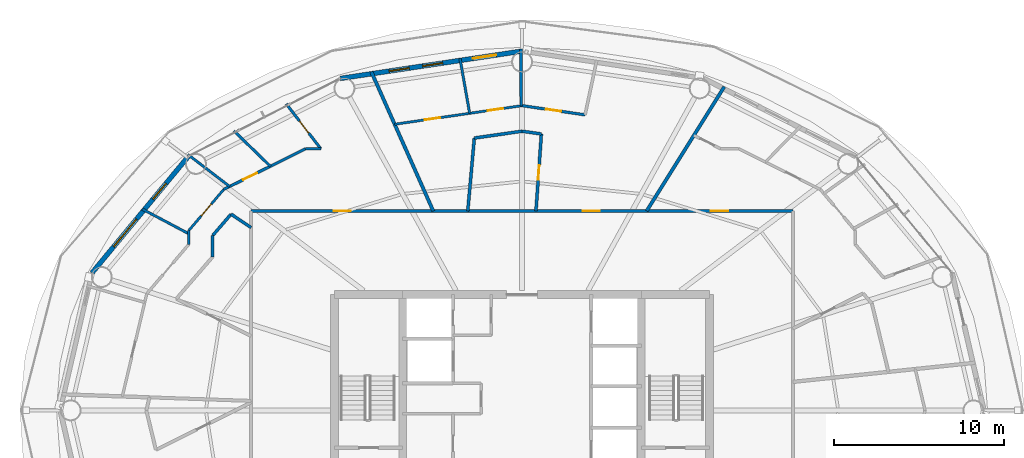
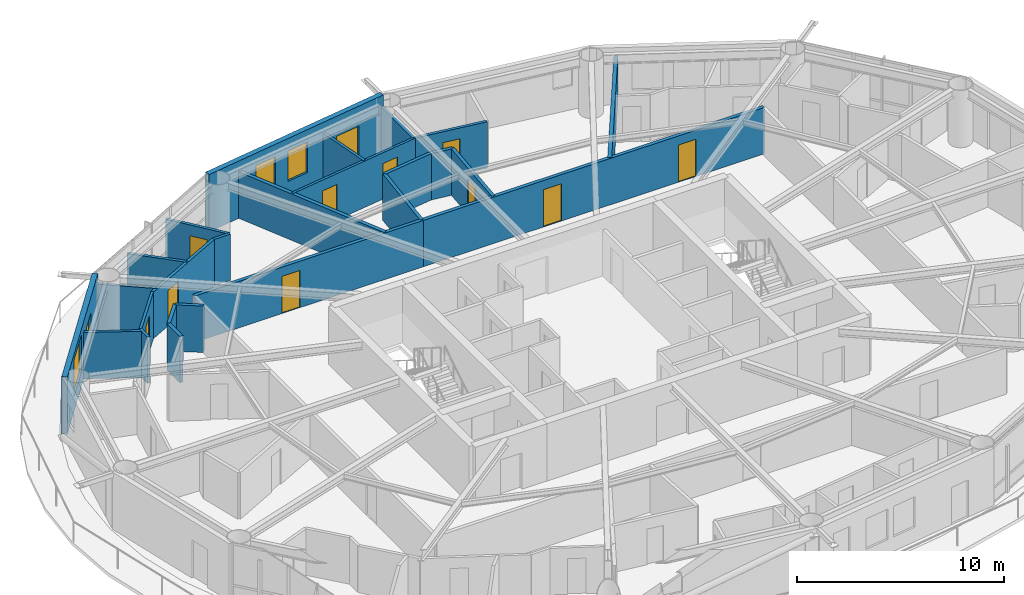
# One storey, part 24 of 28: 25 walls, 11 doors, 4 windows, 15 openings.
"""IFC4 building model written with IfcOpenShell, lengths in metres."""

from ifc_helpers import new_model, si_unit, direction, frame, frame_2d, origin, place, context, subcontext, project, spatial, rectangle, extrude, material, layer, layer_set, type_object, element, fill, save


model = new_model("IFC4")

# Units and contexts
model_context = context("Model", 3, precision=1e-05, world=origin(), true_north=direction((0.0, 1.0)))
body_context = subcontext(model_context, "Body", "Model", "MODEL_VIEW")
ifc_project = project(units=[si_unit("LENGTHUNIT", "METRE"), si_unit("AREAUNIT", "SQUARE_METRE"), si_unit("VOLUMEUNIT", "CUBIC_METRE"), si_unit("PLANEANGLEUNIT", "RADIAN"), si_unit("MASSUNIT", "GRAM", prefix="KILO")], contexts=[model_context])

# Site, building, storey
site_placement = place(None, origin())
site = spatial("IfcSite", under=ifc_project, at=site_placement, CompositionType="ELEMENT")
building_placement = place(site_placement, origin())
building = spatial("IfcBuilding", under=site, at=building_placement, Name="Sarneth Arch Tower", CompositionType="ELEMENT")
storey_placement = place(building_placement, frame((0.0, 0.0, 190.199951171875)))
storey = spatial("IfcBuildingStorey", under=building, at=storey_placement, Name="L48", CompositionType="ELEMENT", Elevation=190.199951171875)

# Wall, opening, door
ifc_material_1 = material(Name="Double steel-stud corridor fire wall", Category="steel")
ifc_layer_1 = layer(ifc_material_1, 0.18994140625)
ifc_layer_set_1 = layer_set([ifc_layer_1], Name="Double steel-stud corridor fire wall")
wall_type_1 = type_object("IfcWallType", Name="WALL-CORR-190", PredefinedType="PARTITIONING", material=ifc_layer_set_1)
wall_1_placement = place(storey_placement, frame((32.10009765625, 53.699951171875, 0.0), z_axis=(0.0, 0.0, 1.0), x_axis=(1.0, 0.0, 0.0)))
wall_1 = element("IfcWall", 1, at=wall_1_placement, inside=storey, type_object=wall_type_1, Name="L48 Interior partition W-L48-TP-009", PredefinedType="PARTITIONING", context=body_context, shape_type="SweptSolid", body=[
    extrude(rectangle(XDim=12.748046875, YDim=0.18994140625, at=frame_2d((6.3740234375, 0.0))), origin(), (0.0, 0.0, 1.0), 2.739990234375),
])
opening_1_placement = place(wall_1_placement, frame((4.86279296875, 0.0, 0.0)))
opening_1 = element("IfcOpeningElement", 2, at=opening_1_placement, cuts=wall_1, Name="Opening FD-08", PredefinedType="OPENING", context=body_context, shape_type="SweptSolid", body=[
    extrude(rectangle(XDim=1.0, YDim=2.199951171875, at=frame_2d((0.5, 1.10009765625))), frame((0.0, 0.10498046875, 0.0), z_axis=(0.0, -1.0, 0.0), x_axis=(1.0, 0.0, 0.0)), (0.0, 0.0, 1.0), 0.2099609375),
])
ifc_material_2 = material(Name="Hardwood timber acoustic fire door", Category="wood")
door_type_1 = type_object("IfcDoorType", Name="DR-FD60-1000", OperationType="SINGLE_SWING_LEFT", PredefinedType="DOOR", material=ifc_material_2)
door_1_placement = place(opening_1_placement, origin())
door_1 = element("IfcDoor", 3, at=door_1_placement, inside=storey, type_object=door_type_1, Name="L48 Interior door DR-L48-U3-ENT", OperationType="SINGLE_SWING_LEFT", OverallHeight=2.199951171875, OverallWidth=1.0, PredefinedType="DOOR", context=body_context, shape_type="SweptSolid", body=[
    extrude(rectangle(XDim=1.0, YDim=2.199951171875, at=frame_2d((0.5, 1.10009765625))), frame((0.0, 0.02490234375, 0.0), z_axis=(0.0, -1.0, 0.0), x_axis=(1.0, 0.0, 0.0)), (0.0, 0.0, 1.0), 0.050048828125),
])
fill(opening_1, door_1)

# Wall, openings, doors
wall_2_placement = place(storey_placement, frame((44.783935546875, 53.699951171875, 0.0), z_axis=(0.0, 0.0, 1.0), x_axis=(1.0, 0.0, 0.0)))
wall_2 = element("IfcWall", 4, at=wall_2_placement, inside=storey, type_object=wall_type_1, Name="L48 Interior partition W-L48-TP-001", PredefinedType="PARTITIONING", context=body_context, shape_type="SweptSolid", body=[
    extrude(rectangle(XDim=19.115966796875, YDim=0.18994140625, at=frame_2d((9.55810546875, 0.0))), origin(), (0.0, 0.0, 1.0), 2.739990234375),
])
opening_2_placement = place(wall_2_placement, frame((14.302490234375, 0.0, 0.0)))
opening_2 = element("IfcOpeningElement", 5, at=opening_2_placement, cuts=wall_2, Name="Opening FD-08", PredefinedType="OPENING", context=body_context, shape_type="SweptSolid", body=[
    extrude(rectangle(XDim=1.0, YDim=2.199951171875, at=frame_2d((0.5, 1.10009765625))), frame((0.0, 0.10498046875, 0.0), z_axis=(0.0, -1.0, 0.0), x_axis=(1.0, 0.0, 0.0)), (0.0, 0.0, 1.0), 0.2099609375),
])
opening_3_placement = place(wall_2_placement, frame((6.783203125, 0.0, 0.0)))
opening_3 = element("IfcOpeningElement", 6, at=opening_3_placement, cuts=wall_2, Name="Opening FD-08", PredefinedType="OPENING", context=body_context, shape_type="SweptSolid", body=[
    extrude(rectangle(XDim=1.0, YDim=2.199951171875, at=frame_2d((0.5, 1.10009765625))), frame((0.0, 0.10498046875, 0.0), z_axis=(0.0, -1.0, 0.0), x_axis=(1.0, 0.0, 0.0)), (0.0, 0.0, 1.0), 0.2099609375),
])
door_2_placement = place(opening_2_placement, origin())
door_2 = element("IfcDoor", 7, at=door_2_placement, inside=storey, type_object=door_type_1, Name="L48 Interior door DR-L48-U1-ENT", OperationType="SINGLE_SWING_LEFT", OverallHeight=2.199951171875, OverallWidth=1.0, PredefinedType="DOOR", context=body_context, shape_type="SweptSolid", body=[
    extrude(rectangle(XDim=1.0, YDim=2.199951171875, at=frame_2d((0.5, 1.10009765625))), frame((0.0, 0.02490234375, 0.0), z_axis=(0.0, -1.0, 0.0), x_axis=(1.0, 0.0, 0.0)), (0.0, 0.0, 1.0), 0.050048828125),
])
fill(opening_2, door_2)
door_3_placement = place(opening_3_placement, origin())
door_3 = element("IfcDoor", 8, at=door_3_placement, inside=storey, type_object=door_type_1, Name="L48 Interior door DR-L48-U2-ENT", OperationType="SINGLE_SWING_RIGHT", OverallHeight=2.199951171875, OverallWidth=1.0, PredefinedType="DOOR", context=body_context, shape_type="SweptSolid", body=[
    extrude(rectangle(XDim=1.0, YDim=2.199951171875, at=frame_2d((0.5, 1.10009765625))), frame((0.0, 0.02490234375, 0.0), z_axis=(0.0, -1.0, 0.0), x_axis=(1.0, 0.0, 0.0)), (0.0, 0.0, 1.0), 0.050048828125),
])
fill(opening_3, door_3)

# Wall, openings, door, windows
ifc_material_3 = material(Name="Extruded terracotta rainscreen on Concrete C40/50 backing", Category="masonry")
ifc_layer_2 = layer(ifc_material_3, 0.280029296875)
ifc_layer_set_2 = layer_set([ifc_layer_2], Name="Extruded terracotta rainscreen on Concrete C40/50 backing")
wall_type_2 = type_object("IfcWallType", Name="WALL-EXT-TERRA-280", PredefinedType="SOLIDWALL", material=ifc_layer_set_2)
wall_3_placement = place(storey_placement, frame((48.0, 63.080078125, 0.0), z_axis=(0.0, 0.0, 1.0), x_axis=(-0.988863993413, -0.148822049884, 0.0)))
wall_3 = element("IfcWall", 9, at=wall_3_placement, inside=storey, type_object=wall_type_2, Name="L48 Terracotta perimeter wall 05", PredefinedType="SOLIDWALL", context=body_context, shape_type="SweptSolid", body=[
    extrude(rectangle(XDim=10.782958984375, YDim=0.280029296875, at=frame_2d((5.3916015625, 0.0))), origin(), (0.0, 0.0, 1.0), 3.380126953125),
])
opening_4_placement = place(wall_3_placement, frame((1.523681640625, 0.0, 0.0)))
opening_4 = element("IfcOpeningElement", 10, at=opening_4_placement, cuts=wall_3, Name="Opening BD-2", PredefinedType="OPENING", context=body_context, shape_type="SweptSolid", body=[
    extrude(rectangle(XDim=1.39990234375, YDim=2.199951171875, at=frame_2d((0.699951171875, 1.10009765625))), frame((0.0, 0.14990234375, 0.0), z_axis=(0.0, -1.0, 0.0), x_axis=(1.0, 0.0, 0.0)), (0.0, 0.0, 1.0), 0.300048828125),
])
opening_5_placement = place(wall_3_placement, frame((4.7021484375, 0.0, 0.85009765625)))
opening_5 = element("IfcOpeningElement", 11, at=opening_5_placement, cuts=wall_3, Name="Opening W-09", PredefinedType="OPENING", context=body_context, shape_type="SweptSolid", body=[
    extrude(rectangle(XDim=1.199951171875, YDim=1.800048828125, at=frame_2d((0.60009765625, 0.89990234375))), frame((0.0, 0.14990234375, 0.0), z_axis=(0.0, -1.0, 0.0), x_axis=(1.0, 0.0, 0.0)), (0.0, 0.0, 1.0), 0.300048828125),
])
opening_6_placement = place(wall_3_placement, frame((6.689697265625, 0.0, 0.85009765625)))
opening_6 = element("IfcOpeningElement", 12, at=opening_6_placement, cuts=wall_3, Name="Opening W-09", PredefinedType="OPENING", context=body_context, shape_type="SweptSolid", body=[
    extrude(rectangle(XDim=1.199951171875, YDim=1.800048828125, at=frame_2d((0.60009765625, 0.89990234375))), frame((0.0, 0.14990234375, 0.0), z_axis=(0.0, -1.0, 0.0), x_axis=(1.0, 0.0, 0.0)), (0.0, 0.0, 1.0), 0.300048828125),
])
ifc_material_4 = material(Name="Thermally broken Aluminium 6063-T6 and laminated safety glass", Category="aluminium")
door_type_2 = type_object("IfcDoorType", Name="DR-BALC-GLZ-1400", OperationType="SINGLE_SWING_LEFT", PredefinedType="DOOR", material=ifc_material_4)
door_4_placement = place(opening_4_placement, origin())
door_4 = element("IfcDoor", 13, at=door_4_placement, inside=storey, type_object=door_type_2, Name="L48 Balcony glazed door 05", OperationType="SINGLE_SWING_LEFT", OverallHeight=2.199951171875, OverallWidth=1.39990234375, PredefinedType="DOOR", context=body_context, shape_type="SweptSolid", body=[
    extrude(rectangle(XDim=1.39990234375, YDim=2.199951171875, at=frame_2d((0.699951171875, 1.10009765625))), frame((0.0, 0.02490234375, 0.0), z_axis=(0.0, -1.0, 0.0), x_axis=(1.0, 0.0, 0.0)), (0.0, 0.0, 1.0), 0.050048828125),
])
fill(opening_4, door_4)
ifc_material_5 = material(Name="Thermally broken Aluminium 6063-T6 and low-e laminated IGU", Category="aluminium")
window_type_1 = type_object("IfcWindowType", Name="WIN-TWR-1200x1800", PartitioningType="SINGLE_PANEL", PredefinedType="WINDOW", material=ifc_material_5)
window_1_placement = place(opening_5_placement, origin())
window_1 = element("IfcWindow", 14, at=window_1_placement, inside=storey, type_object=window_type_1, Name="L48 Exterior window 05A", OverallHeight=1.800048828125, OverallWidth=1.199951171875, PartitioningType="SINGLE_PANEL", PredefinedType="WINDOW", context=body_context, shape_type="SweptSolid", body=[
    extrude(rectangle(XDim=1.199951171875, YDim=1.800048828125, at=frame_2d((0.60009765625, 0.89990234375))), frame((0.0, 0.030029296875, 0.0), z_axis=(0.0, -1.0, 0.0), x_axis=(1.0, 0.0, 0.0)), (0.0, 0.0, 1.0), 0.06005859375),
])
fill(opening_5, window_1)
window_2_placement = place(opening_6_placement, origin())
window_2 = element("IfcWindow", 15, at=window_2_placement, inside=storey, type_object=window_type_1, Name="L48 Exterior window 05B", OverallHeight=1.800048828125, OverallWidth=1.199951171875, PartitioningType="SINGLE_PANEL", PredefinedType="WINDOW", context=body_context, shape_type="SweptSolid", body=[
    extrude(rectangle(XDim=1.199951171875, YDim=1.800048828125, at=frame_2d((0.60009765625, 0.89990234375))), frame((0.0, 0.030029296875, 0.0), z_axis=(0.0, -1.0, 0.0), x_axis=(1.0, 0.0, 0.0)), (0.0, 0.0, 1.0), 0.06005859375),
])
fill(opening_6, window_2)

# Wall, openings, windows
wall_4_placement = place(storey_placement, frame((28.423828125, 56.90576171875, 0.0), z_axis=(0.0, 0.0, 1.0), x_axis=(-0.637333477683, -0.770588111915, 0.0)))
wall_4 = element("IfcWall", 16, at=wall_4_placement, inside=storey, type_object=wall_type_2, Name="L48 Terracotta perimeter wall 07", PredefinedType="SOLIDWALL", context=body_context, shape_type="SweptSolid", body=[
    extrude(rectangle(XDim=8.874755859375, YDim=0.280029296875, at=frame_2d((4.4375, 0.0))), origin(), (0.0, 0.0, 1.0), 3.380126953125),
])
opening_7_placement = place(wall_4_placement, frame((2.061279296875, 0.0, 0.85009765625)))
opening_7 = element("IfcOpeningElement", 17, at=opening_7_placement, cuts=wall_4, Name="Opening W-10", PredefinedType="OPENING", context=body_context, shape_type="SweptSolid", body=[
    extrude(rectangle(XDim=1.199951171875, YDim=1.60009765625, at=frame_2d((0.60009765625, 0.800048828125))), frame((0.0, 0.14990234375, 0.0), z_axis=(0.0, -1.0, 0.0), x_axis=(1.0, 0.0, 0.0)), (0.0, 0.0, 1.0), 0.300048828125),
])
opening_8_placement = place(wall_4_placement, frame((4.779296875, 0.0, 0.85009765625)))
opening_8 = element("IfcOpeningElement", 18, at=opening_8_placement, cuts=wall_4, Name="Opening W-03", PredefinedType="OPENING", context=body_context, shape_type="SweptSolid", body=[
    extrude(rectangle(XDim=2.10009765625, YDim=2.199951171875, at=frame_2d((1.050048828125, 1.10009765625))), frame((0.0, 0.14990234375, 0.0), z_axis=(0.0, -1.0, 0.0), x_axis=(1.0, 0.0, 0.0)), (0.0, 0.0, 1.0), 0.300048828125),
])
ifc_material_6 = material(Name="Thermally broken Aluminium 6063-T6 and low-e laminated IGU", Category="aluminium")
window_type_2 = type_object("IfcWindowType", Name="WIN-TWR-1200x1600", PartitioningType="SINGLE_PANEL", PredefinedType="WINDOW", material=ifc_material_6)
window_3_placement = place(opening_7_placement, origin())
window_3 = element("IfcWindow", 19, at=window_3_placement, inside=storey, type_object=window_type_2, Name="L48 Exterior window 07A", OverallHeight=1.60009765625, OverallWidth=1.199951171875, PartitioningType="SINGLE_PANEL", PredefinedType="WINDOW", context=body_context, shape_type="SweptSolid", body=[
    extrude(rectangle(XDim=1.199951171875, YDim=1.60009765625, at=frame_2d((0.60009765625, 0.800048828125))), frame((0.0, 0.030029296875, 0.0), z_axis=(0.0, -1.0, 0.0), x_axis=(1.0, 0.0, 0.0)), (0.0, 0.0, 1.0), 0.06005859375),
])
fill(opening_7, window_3)
ifc_material_7 = material(Name="Thermally broken Aluminium 6063-T6 and low-e laminated IGU", Category="aluminium")
window_type_3 = type_object("IfcWindowType", Name="WIN-TWR-2100x2200", PartitioningType="DOUBLE_PANEL_VERTICAL", PredefinedType="WINDOW", material=ifc_material_7)
window_4_placement = place(opening_8_placement, origin())
window_4 = element("IfcWindow", 20, at=window_4_placement, inside=storey, type_object=window_type_3, Name="L48 Exterior window 07B", OverallHeight=2.199951171875, OverallWidth=2.10009765625, PartitioningType="SINGLE_PANEL", PredefinedType="WINDOW", context=body_context, shape_type="SweptSolid", body=[
    extrude(rectangle(XDim=2.10009765625, YDim=2.199951171875, at=frame_2d((1.050048828125, 1.10009765625))), frame((0.0, 0.030029296875, 0.0), z_axis=(0.0, -1.0, 0.0), x_axis=(1.0, 0.0, 0.0)), (0.0, 0.0, 1.0), 0.06005859375),
])
fill(opening_8, window_4)

# Wall, openings, doors
ifc_material_8 = material(Name="Apartment internal stud partition", Category="gypsum")
ifc_layer_3 = layer(ifc_material_8, 0.139892578125)
ifc_layer_set_3 = layer_set([ifc_layer_3], Name="Apartment internal stud partition")
wall_type_3 = type_object("IfcWallType", Name="WALL-PART-140", PredefinedType="PARTITIONING", material=ifc_layer_set_3)
wall_5_placement = place(storey_placement, frame((40.52587890625, 58.786865234375, 0.0), z_axis=(0.0, 0.0, 1.0), x_axis=(0.989472726968, 0.144719461672, 0.0)))
wall_5 = element("IfcWall", 21, at=wall_5_placement, inside=storey, type_object=wall_type_3, Name="L48 Interior partition W-L48-TP-048", PredefinedType="PARTITIONING", context=body_context, shape_type="SweptSolid", body=[
    extrude(rectangle(XDim=7.532470703125, YDim=0.139892578125, at=frame_2d((3.76611328125, 0.0))), origin(), (0.0, 0.0, 1.0), 2.739990234375),
])
opening_9_placement = place(wall_5_placement, frame((1.789794921875, 0.0, 0.0)))
opening_9 = element("IfcOpeningElement", 22, at=opening_9_placement, cuts=wall_5, Name="Opening ID-01", PredefinedType="OPENING", context=body_context, shape_type="SweptSolid", body=[
    extrude(rectangle(XDim=0.89990234375, YDim=2.10009765625, at=frame_2d((0.449951171875, 1.050048828125))), frame((0.0, 0.079833984375, 0.0), z_axis=(0.0, -1.0, 0.0), x_axis=(1.0, 0.0, 0.0)), (0.0, 0.0, 1.0), 0.159912109375),
])
opening_10_placement = place(wall_5_placement, frame((5.523681640625, 0.0, 0.0)))
opening_10 = element("IfcOpeningElement", 23, at=opening_10_placement, cuts=wall_5, Name="Opening ID-01", PredefinedType="OPENING", context=body_context, shape_type="SweptSolid", body=[
    extrude(rectangle(XDim=0.89990234375, YDim=2.10009765625, at=frame_2d((0.449951171875, 1.050048828125))), frame((0.0, 0.079833984375, 0.0), z_axis=(0.0, -1.0, 0.0), x_axis=(1.0, 0.0, 0.0)), (0.0, 0.0, 1.0), 0.159912109375),
])
ifc_material_9 = material(Name="Engineered hardwood flush door", Category="wood")
door_type_3 = type_object("IfcDoorType", Name="DR-INT-900", OperationType="SINGLE_SWING_LEFT", PredefinedType="DOOR", material=ifc_material_9)
door_5_placement = place(opening_9_placement, origin())
door_5 = element("IfcDoor", 24, at=door_5_placement, inside=storey, type_object=door_type_3, Name="L48 Interior door DR-L48-U2-BED2", OperationType="SINGLE_SWING_RIGHT", OverallHeight=2.10009765625, OverallWidth=0.89990234375, PredefinedType="DOOR", context=body_context, shape_type="SweptSolid", body=[
    extrude(rectangle(XDim=0.89990234375, YDim=2.10009765625, at=frame_2d((0.449951171875, 1.050048828125))), frame((0.0, 0.02490234375, 0.0), z_axis=(0.0, -1.0, 0.0), x_axis=(1.0, 0.0, 0.0)), (0.0, 0.0, 1.0), 0.050048828125),
])
fill(opening_9, door_5)
door_6_placement = place(opening_10_placement, origin())
door_6 = element("IfcDoor", 25, at=door_6_placement, inside=storey, type_object=door_type_3, Name="L48 Interior door DR-L48-U2-BED1", OperationType="SINGLE_SWING_LEFT", OverallHeight=2.10009765625, OverallWidth=0.89990234375, PredefinedType="DOOR", context=body_context, shape_type="SweptSolid", body=[
    extrude(rectangle(XDim=0.89990234375, YDim=2.10009765625, at=frame_2d((0.449951171875, 1.050048828125))), frame((0.0, 0.02490234375, 0.0), z_axis=(0.0, -1.0, 0.0), x_axis=(1.0, 0.0, 0.0)), (0.0, 0.0, 1.0), 0.050048828125),
])
fill(opening_10, door_6)

# Wall, opening, door
wall_6_placement = place(storey_placement, frame((28.449951171875, 52.556640625, 0.0), z_axis=(0.0, 0.0, 1.0), x_axis=(0.647888606369, 0.761735094201, 0.0)))
wall_6 = element("IfcWall", 26, at=wall_6_placement, inside=storey, type_object=wall_type_3, Name="L48 Interior partition W-L48-TP-063", PredefinedType="PARTITIONING", context=body_context, shape_type="SweptSolid", body=[
    extrude(rectangle(XDim=3.15673828125, YDim=0.139892578125, at=frame_2d((1.578369140625, 0.0))), origin(), (0.0, 0.0, 1.0), 2.739990234375),
])
opening_11_placement = place(wall_6_placement, frame((1.12841796875, 0.0, 0.0)))
opening_11 = element("IfcOpeningElement", 27, at=opening_11_placement, cuts=wall_6, Name="Opening ID-01", PredefinedType="OPENING", context=body_context, shape_type="SweptSolid", body=[
    extrude(rectangle(XDim=0.89990234375, YDim=2.10009765625, at=frame_2d((0.449951171875, 1.050048828125))), frame((0.0, 0.079833984375, 0.0), z_axis=(0.0, -1.0, 0.0), x_axis=(1.0, 0.0, 0.0)), (0.0, 0.0, 1.0), 0.159912109375),
])
door_7_placement = place(opening_11_placement, origin())
door_7 = element("IfcDoor", 28, at=door_7_placement, inside=storey, type_object=door_type_3, Name="L48 Interior door DR-L48-U3-BED1", OperationType="SINGLE_SWING_RIGHT", OverallHeight=2.10009765625, OverallWidth=0.89990234375, PredefinedType="DOOR", context=body_context, shape_type="SweptSolid", body=[
    extrude(rectangle(XDim=0.89990234375, YDim=2.10009765625, at=frame_2d((0.449951171875, 1.050048828125))), frame((0.0, 0.02490234375, 0.0), z_axis=(0.0, -1.0, 0.0), x_axis=(1.0, 0.0, 0.0)), (0.0, 0.0, 1.0), 0.050048828125),
])
fill(opening_11, door_7)

# Walls
ifc_material_10 = material(Name="Acoustic gypsum stud partition", Category="gypsum")
ifc_layer_4 = layer(ifc_material_10, 0.14990234375)
ifc_layer_set_4 = layer_set([ifc_layer_4], Name="Acoustic gypsum stud partition")
wall_type_4 = type_object("IfcWallType", Name="WALL-PART-150", PredefinedType="PARTITIONING", material=ifc_layer_set_4)
wall_7_placement = place(storey_placement, frame((44.926513671875, 59.430419921875, 0.0), z_axis=(0.0, 0.0, 1.0), x_axis=(-0.17359807558, 0.984816586048, 0.0)))
element("IfcWall", 29, at=wall_7_placement, inside=storey, type_object=wall_type_4, Name="L48 Interior partition W-L48-TP-051", PredefinedType="PARTITIONING", context=body_context, shape_type="SweptSolid", body=[
    extrude(rectangle(XDim=3.272705078125, YDim=0.14990234375, at=frame_2d((1.63623046875, 0.0))), origin(), (0.0, 0.0, 1.0), 2.739990234375),
])
wall_8_placement = place(storey_placement, frame((28.449951171875, 52.36181640625, 0.0), z_axis=(0.0, 0.0, 1.0), x_axis=(-0.883567356142, 0.468304096886, 0.0)))
element("IfcWall", 30, at=wall_8_placement, inside=storey, type_object=wall_type_4, Name="L48 Interior partition W-L48-TP-073", PredefinedType="PARTITIONING", context=body_context, shape_type="SweptSolid", body=[
    extrude(rectangle(XDim=3.09765625, YDim=0.14990234375, at=frame_2d((1.548828125, 0.0))), origin(), (0.0, 0.0, 1.0), 2.739990234375),
])
wall_9_placement = place(storey_placement, frame((30.845703125, 55.135986328125, 0.0), z_axis=(0.0, 0.0, 1.0), x_axis=(-0.793971553825, 0.607954909279, 0.0)))
element("IfcWall", 31, at=wall_9_placement, inside=storey, type_object=wall_type_4, Name="L48 Interior partition W-L48-TP-072", PredefinedType="PARTITIONING", context=body_context, shape_type="SweptSolid", body=[
    extrude(rectangle(XDim=3.0869140625, YDim=0.14990234375, at=frame_2d((1.54345703125, 0.0))), origin(), (0.0, 0.0, 1.0), 2.739990234375),
])
wall_10_placement = place(storey_placement, frame((28.449951171875, 51.744384765625, 0.0), z_axis=(0.0, 0.0, 1.0), x_axis=(0.0, 1.0, 0.0)))
element("IfcWall", 32, at=wall_10_placement, inside=storey, type_object=wall_type_4, Name="L48 Interior partition W-L48-TP-067", PredefinedType="PARTITIONING", context=body_context, shape_type="SweptSolid", body=[
    extrude(rectangle(XDim=0.812255859375, YDim=0.14990234375, at=frame_2d((0.40625, 0.0))), origin(), (0.0, 0.0, 1.0), 2.739990234375),
])

# Wall, opening, door
ifc_material_11 = material(Name="Kitchen wet service chase wall", Category="gypsum")
ifc_layer_5 = layer(ifc_material_11, 0.159912109375)
ifc_layer_set_5 = layer_set([ifc_layer_5], Name="Kitchen wet service chase wall")
wall_type_5 = type_object("IfcWallType", Name="WALL-PLUMB-160", PredefinedType="PLUMBINGWALL", material=ifc_layer_set_5)
wall_11_placement = place(storey_placement, frame((51.698974609375, 59.339111328125, 0.0), z_axis=(0.0, 0.0, 1.0), x_axis=(-0.98948182168, 0.144657265858, 0.0)))
wall_11 = element("IfcWall", 33, at=wall_11_placement, inside=storey, type_object=wall_type_5, Name="L48 Interior partition W-L48-TP-042", PredefinedType="PLUMBINGWALL", context=body_context, shape_type="SweptSolid", body=[
    extrude(rectangle(XDim=3.73828125, YDim=0.159912109375, at=frame_2d((1.869140625, 0.0))), origin(), (0.0, 0.0, 1.0), 2.739990234375),
])
opening_12_placement = place(wall_11_placement, frame((1.419189453125, 0.0, 0.0)))
opening_12 = element("IfcOpeningElement", 34, at=opening_12_placement, cuts=wall_11, Name="Opening ID-01", PredefinedType="OPENING", context=body_context, shape_type="SweptSolid", body=[
    extrude(rectangle(XDim=0.89990234375, YDim=2.10009765625, at=frame_2d((0.449951171875, 1.050048828125))), frame((0.0, 0.08984375, 0.0), z_axis=(0.0, -1.0, 0.0), x_axis=(1.0, 0.0, 0.0)), (0.0, 0.0, 1.0), 0.179931640625),
])
door_8_placement = place(opening_12_placement, origin())
door_8 = element("IfcDoor", 35, at=door_8_placement, inside=storey, type_object=door_type_3, Name="L48 Interior door DR-L48-U2-KIT", OperationType="SINGLE_SWING_LEFT", OverallHeight=2.10009765625, OverallWidth=0.89990234375, PredefinedType="DOOR", context=body_context, shape_type="SweptSolid", body=[
    extrude(rectangle(XDim=0.89990234375, YDim=2.10009765625, at=frame_2d((0.449951171875, 1.050048828125))), frame((0.0, 0.02490234375, 0.0), z_axis=(0.0, -1.0, 0.0), x_axis=(1.0, 0.0, 0.0)), (0.0, 0.0, 1.0), 0.050048828125),
])
fill(opening_12, door_8)

wall_12_placement = place(storey_placement, frame((36.19189453125, 57.35009765625, 0.0), z_axis=(0.0, 0.0, 1.0), x_axis=(-0.60972852226, 0.792610326164, 0.0)))
wall_12 = element("IfcWall", 36, at=wall_12_placement, inside=storey, type_object=wall_type_5, Name="L48 Interior partition W-L48-TP-056", PredefinedType="PLUMBINGWALL", context=body_context, shape_type="SweptSolid", body=[
    extrude(rectangle(XDim=3.3212890625, YDim=0.159912109375, at=frame_2d((1.66064453125, 0.0))), origin(), (0.0, 0.0, 1.0), 2.739990234375),
])
opening_13_placement = place(wall_12_placement, frame((1.150634765625, 0.0, 0.0)))
opening_13 = element("IfcOpeningElement", 37, at=opening_13_placement, cuts=wall_12, Name="Opening ID-01", PredefinedType="OPENING", context=body_context, shape_type="SweptSolid", body=[
    extrude(rectangle(XDim=0.89990234375, YDim=2.10009765625, at=frame_2d((0.449951171875, 1.050048828125))), frame((0.0, 0.08984375, 0.0), z_axis=(0.0, -1.0, 0.0), x_axis=(1.0, 0.0, 0.0)), (0.0, 0.0, 1.0), 0.179931640625),
])
door_9_placement = place(opening_13_placement, origin())
door_9 = element("IfcDoor", 38, at=door_9_placement, inside=storey, type_object=door_type_3, Name="L48 Interior door DR-L48-U3-KIT", OperationType="SINGLE_SWING_RIGHT", OverallHeight=2.10009765625, OverallWidth=0.89990234375, PredefinedType="DOOR", context=body_context, shape_type="SweptSolid", body=[
    extrude(rectangle(XDim=0.89990234375, YDim=2.10009765625, at=frame_2d((0.449951171875, 1.050048828125))), frame((0.0, 0.02490234375, 0.0), z_axis=(0.0, -1.0, 0.0), x_axis=(1.0, 0.0, 0.0)), (0.0, 0.0, 1.0), 0.050048828125),
])
fill(opening_13, door_9)

# Walls
wall_13_placement = place(storey_placement, frame((47.947021484375, 59.872314453125, 0.0), z_axis=(0.0, 0.0, 1.0), x_axis=(-0.003016466559, 0.999995450454, 0.0)))
element("IfcWall", 39, at=wall_13_placement, inside=storey, type_object=wall_type_5, Name="L48 Interior partition W-L48-TP-050", PredefinedType="PLUMBINGWALL", context=body_context, shape_type="SweptSolid", body=[
    extrude(rectangle(XDim=3.318359375, YDim=0.159912109375, at=frame_2d((1.6591796875, 0.0))), origin(), (0.0, 0.0, 1.0), 2.739990234375),
])
wall_14_placement = place(storey_placement, frame((31.09130859375, 58.40087890625, 0.0), z_axis=(0.0, 0.0, 1.0), x_axis=(0.717793726231, -0.696255819785, 0.0)))
element("IfcWall", 40, at=wall_14_placement, inside=storey, type_object=wall_type_5, Name="L48 Interior partition W-L48-TP-071", PredefinedType="PLUMBINGWALL", context=body_context, shape_type="SweptSolid", body=[
    extrude(rectangle(XDim=2.981201171875, YDim=0.159912109375, at=frame_2d((1.49072265625, 0.0))), origin(), (0.0, 0.0, 1.0), 2.739990234375),
])

# Wall, opening, door
wall_15_placement = place(storey_placement, frame((30.4951171875, 54.961181640625, 0.0), z_axis=(0.0, 0.0, 1.0), x_axis=(0.894955531207, 0.446155350929, 0.0)))
wall_15 = element("IfcWall", 41, at=wall_15_placement, inside=storey, type_object=wall_type_5, Name="L48 Interior partition W-L48-TP-053", PredefinedType="PLUMBINGWALL", context=body_context, shape_type="SweptSolid", body=[
    extrude(rectangle(XDim=5.35400390625, YDim=0.159912109375, at=frame_2d((2.677001953125, 0.0))), origin(), (0.0, 0.0, 1.0), 2.739990234375),
])
opening_14_placement = place(wall_15_placement, frame((1.2734375, 0.0, 0.0)))
opening_14 = element("IfcOpeningElement", 42, at=opening_14_placement, cuts=wall_15, Name="Opening ID-01", PredefinedType="OPENING", context=body_context, shape_type="SweptSolid", body=[
    extrude(rectangle(XDim=0.89990234375, YDim=2.10009765625, at=frame_2d((0.449951171875, 1.050048828125))), frame((0.0, 0.08984375, 0.0), z_axis=(0.0, -1.0, 0.0), x_axis=(1.0, 0.0, 0.0)), (0.0, 0.0, 1.0), 0.179931640625),
])
door_10_placement = place(opening_14_placement, origin())
door_10 = element("IfcDoor", 43, at=door_10_placement, inside=storey, type_object=door_type_3, Name="L48 Interior door DR-L48-U3-STD", OperationType="SINGLE_SWING_LEFT", OverallHeight=2.10009765625, OverallWidth=0.89990234375, PredefinedType="DOOR", context=body_context, shape_type="SweptSolid", body=[
    extrude(rectangle(XDim=0.89990234375, YDim=2.10009765625, at=frame_2d((0.449951171875, 1.050048828125))), frame((0.0, 0.02490234375, 0.0), z_axis=(0.0, -1.0, 0.0), x_axis=(1.0, 0.0, 0.0)), (0.0, 0.0, 1.0), 0.050048828125),
])
fill(opening_14, door_10)

# Wall
wall_16_placement = place(storey_placement, frame((35.28662109375, 57.35009765625, 0.0), z_axis=(0.0, 0.0, 1.0), x_axis=(1.0, 0.0, 0.0)))
element("IfcWall", 44, at=wall_16_placement, inside=storey, type_object=wall_type_5, Name="L48 Interior partition W-L48-TP-055", PredefinedType="PLUMBINGWALL", context=body_context, shape_type="SweptSolid", body=[
    extrude(rectangle(XDim=0.9052734375, YDim=0.159912109375, at=frame_2d((0.45263671875, 0.0))), origin(), (0.0, 0.0, 1.0), 2.739990234375),
])

# Wall, opening, door
ifc_material_12 = material(Name="Moisture-resistant plumbing chase wall", Category="gypsum")
ifc_layer_6 = layer(ifc_material_12, 0.179931640625)
ifc_layer_set_6 = layer_set([ifc_layer_6], Name="Moisture-resistant plumbing chase wall")
wall_type_6 = type_object("IfcWallType", Name="WALL-PLUMB-180", PredefinedType="PLUMBINGWALL", material=ifc_layer_set_6)
wall_17_placement = place(storey_placement, frame((49.134033203125, 58.217041015625, 0.0), z_axis=(0.0, 0.0, 1.0), x_axis=(-0.069767962458, -0.997563246824, 0.0)))
wall_17 = element("IfcWall", 45, at=wall_17_placement, inside=storey, type_object=wall_type_6, Name="L48 Interior partition W-L48-TP-046", PredefinedType="PLUMBINGWALL", context=body_context, shape_type="SweptSolid", body=[
    extrude(rectangle(XDim=4.528076171875, YDim=0.179931640625, at=frame_2d((2.26416015625, 0.0))), origin(), (0.0, 0.0, 1.0), 2.739990234375),
])
opening_15_placement = place(wall_17_placement, frame((1.839111328125, 0.0, 0.0)))
opening_15 = element("IfcOpeningElement", 46, at=opening_15_placement, cuts=wall_17, Name="Opening ID-02", PredefinedType="OPENING", context=body_context, shape_type="SweptSolid", body=[
    extrude(rectangle(XDim=0.85009765625, YDim=2.10009765625, at=frame_2d((0.425048828125, 1.050048828125))), frame((0.0, 0.099853515625, 0.0), z_axis=(0.0, -1.0, 0.0), x_axis=(1.0, 0.0, 0.0)), (0.0, 0.0, 1.0), 0.199951171875),
])
ifc_material_13 = material(Name="Moisture-resistant bathroom timber door", Category="wood")
door_type_4 = type_object("IfcDoorType", Name="DR-INT-850", OperationType="SINGLE_SWING_RIGHT", PredefinedType="DOOR", material=ifc_material_13)
door_11_placement = place(opening_15_placement, origin())
door_11 = element("IfcDoor", 47, at=door_11_placement, inside=storey, type_object=door_type_4, Name="L48 Interior door DR-L48-U2-BATH", OperationType="SINGLE_SWING_LEFT", OverallHeight=2.10009765625, OverallWidth=0.85009765625, PredefinedType="DOOR", context=body_context, shape_type="SweptSolid", body=[
    extrude(rectangle(XDim=0.85009765625, YDim=2.10009765625, at=frame_2d((0.425048828125, 1.050048828125))), frame((0.0, 0.02490234375, 0.0), z_axis=(0.0, -1.0, 0.0), x_axis=(1.0, 0.0, 0.0)), (0.0, 0.0, 1.0), 0.050048828125),
])
fill(opening_15, door_11)

# Walls
wall_18_placement = place(storey_placement, frame((44.816162109375, 53.699951171875, 0.0), z_axis=(0.0, 0.0, 1.0), x_axis=(0.089418344166, 0.995994156472, 0.0)))
element("IfcWall", 48, at=wall_18_placement, inside=storey, type_object=wall_type_6, Name="L48 Interior partition W-L48-TP-043", PredefinedType="PLUMBINGWALL", context=body_context, shape_type="SweptSolid", body=[
    extrude(rectangle(XDim=4.294677734375, YDim=0.179931640625, at=frame_2d((2.1474609375, 0.0))), origin(), (0.0, 0.0, 1.0), 2.739990234375),
])
wall_19_placement = place(storey_placement, frame((45.2001953125, 57.9775390625, 0.0), z_axis=(0.0, 0.0, 1.0), x_axis=(0.98983176764, 0.142243002535, 0.0)))
element("IfcWall", 49, at=wall_19_placement, inside=storey, type_object=wall_type_6, Name="L48 Interior partition W-L48-TP-044", PredefinedType="PLUMBINGWALL", context=body_context, shape_type="SweptSolid", body=[
    extrude(rectangle(XDim=2.82861328125, YDim=0.179931640625, at=frame_2d((1.414306640625, 0.0))), origin(), (0.0, 0.0, 1.0), 2.739990234375),
])
wall_20_placement = place(storey_placement, frame((29.85009765625, 52.261962890625, 0.0), z_axis=(0.0, 0.0, 1.0), x_axis=(0.652334661778, 0.757931058239, 0.0)))
element("IfcWall", 50, at=wall_20_placement, inside=storey, type_object=wall_type_6, Name="L48 Interior partition W-L48-TP-060", PredefinedType="PLUMBINGWALL", context=body_context, shape_type="SweptSolid", body=[
    extrude(rectangle(XDim=1.653076171875, YDim=0.179931640625, at=frame_2d((0.82666015625, 0.0))), origin(), (0.0, 0.0, 1.0), 2.739990234375),
])
wall_21_placement = place(storey_placement, frame((30.928466796875, 53.514892578125, 0.0), z_axis=(0.0, 0.0, 1.0), x_axis=(0.829034879431, -0.55919689617, 0.0)))
element("IfcWall", 51, at=wall_21_placement, inside=storey, type_object=wall_type_6, Name="L48 Interior partition W-L48-TP-061", PredefinedType="PLUMBINGWALL", context=body_context, shape_type="SweptSolid", body=[
    extrude(rectangle(XDim=1.413330078125, YDim=0.179931640625, at=frame_2d((0.70654296875, 0.0))), origin(), (0.0, 0.0, 1.0), 2.739990234375),
])
wall_22_placement = place(storey_placement, frame((29.85009765625, 51.0126953125, 0.0), z_axis=(0.0, 0.0, 1.0), x_axis=(0.0, 1.0, 0.0)))
element("IfcWall", 52, at=wall_22_placement, inside=storey, type_object=wall_type_6, Name="L48 Interior partition W-L48-TP-059", PredefinedType="PLUMBINGWALL", context=body_context, shape_type="SweptSolid", body=[
    extrude(rectangle(XDim=1.249267578125, YDim=0.179931640625, at=frame_2d((0.62451171875, 0.0))), origin(), (0.0, 0.0, 1.0), 2.739990234375),
])
wall_23_placement = place(storey_placement, frame((48.0, 58.3798828125, 0.0), z_axis=(0.0, 0.0, 1.0), x_axis=(0.989846946984, -0.142137333399, 0.0)))
element("IfcWall", 53, at=wall_23_placement, inside=storey, type_object=wall_type_6, Name="L48 Interior partition W-L48-TP-045", PredefinedType="PLUMBINGWALL", context=body_context, shape_type="SweptSolid", body=[
    extrude(rectangle(XDim=1.145751953125, YDim=0.179931640625, at=frame_2d((0.57275390625, 0.0))), origin(), (0.0, 0.0, 1.0), 2.739990234375),
])
ifc_material_14 = material(Name="Double steel-stud acoustic drywall", Category="steel")
ifc_layer_7 = layer(ifc_material_14, 0.199951171875)
ifc_layer_set_7 = layer_set([ifc_layer_7], Name="Double steel-stud acoustic drywall")
wall_type_7 = type_object("IfcWallType", Name="WALL-UNIT-200", PredefinedType="PARTITIONING", material=ifc_layer_set_7)
wall_24_placement = place(storey_placement, frame((42.790771484375, 53.699951171875, 0.0), z_axis=(0.0, 0.0, 1.0), x_axis=(-0.406736436421, 0.913545549651, 0.0)))
element("IfcWall", 54, at=wall_24_placement, inside=storey, type_object=wall_type_7, Name="L48 Interior partition W-L48-TP-049", PredefinedType="PARTITIONING", context=body_context, shape_type="SweptSolid", body=[
    extrude(rectangle(XDim=8.938720703125, YDim=0.199951171875, at=frame_2d((4.46923828125, 0.0))), origin(), (0.0, 0.0, 1.0), 2.739990234375),
])
wall_25_placement = place(storey_placement, frame((55.31103515625, 53.699951171875, 0.0), z_axis=(0.0, 0.0, 1.0), x_axis=(0.529914717401, 0.848050937315, 0.0)))
element("IfcWall", 55, at=wall_25_placement, inside=storey, type_object=wall_type_7, Name="L48 Interior partition W-L48-TP-033", PredefinedType="PARTITIONING", context=body_context, shape_type="SweptSolid", body=[
    extrude(rectangle(XDim=8.598876953125, YDim=0.199951171875, at=frame_2d((4.29931640625, 0.0))), origin(), (0.0, 0.0, 1.0), 2.739990234375),
])

save(model, "model.ifc")
